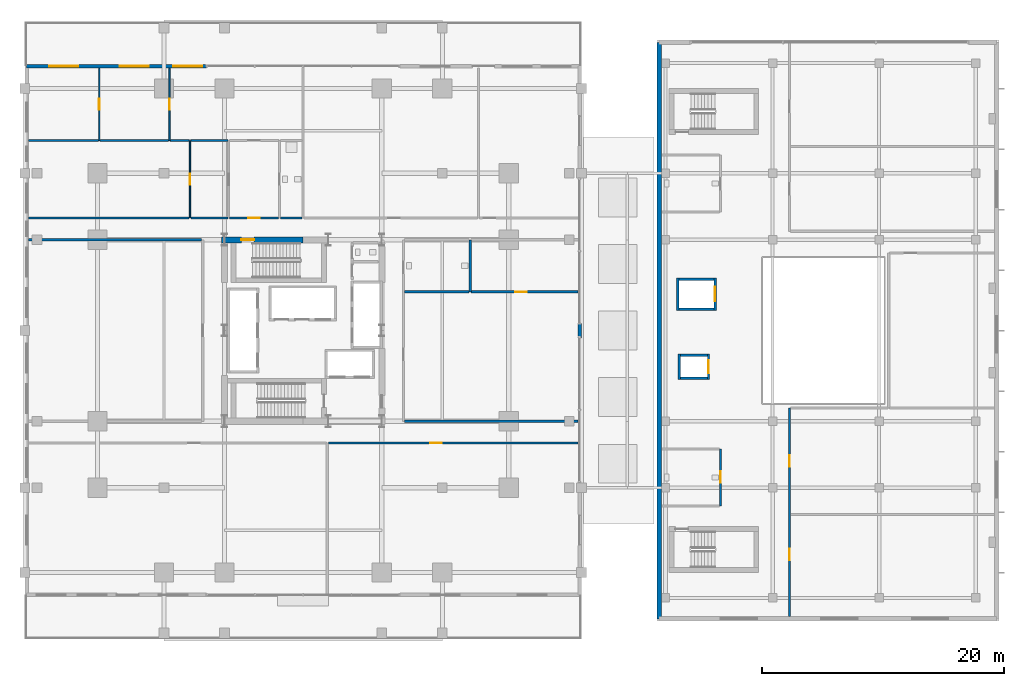
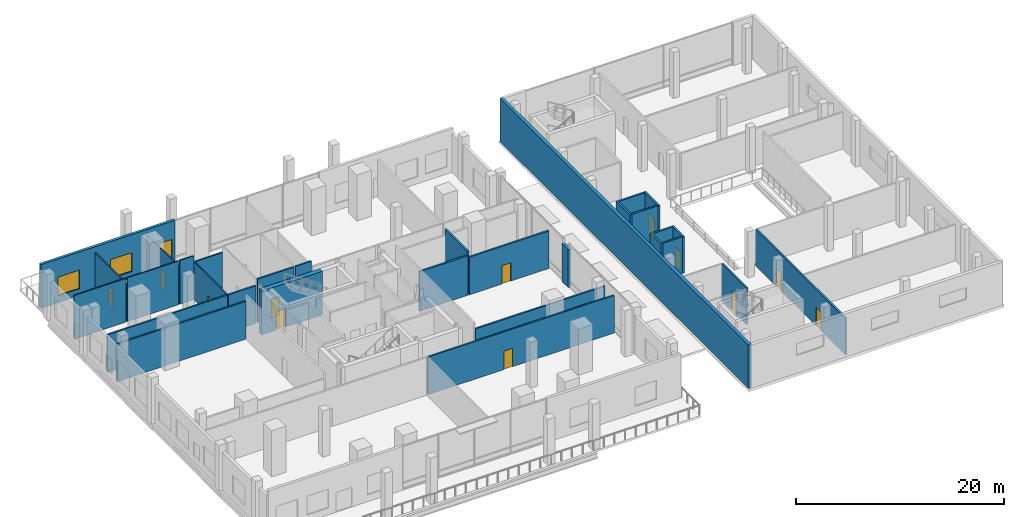
# One storey, part 27 of 36: 31 walls, 12 doors, 3 windows, 15 openings.
"""IFC4 building model written with IfcOpenShell, lengths in metres."""

from ifc_helpers import new_model, si_unit, direction, frame, frame_2d, origin, place, context, subcontext, project, spatial, rectangle, extrude, material, layer, layer_set, type_object, element, fill, save


model = new_model("IFC4")

# Units and contexts
model_context = context("Model", 3, precision=1e-05, world=origin(), true_north=direction((0.0, 1.0)))
body_context = subcontext(model_context, "Body", "Model", "MODEL_VIEW")
ifc_project = project(units=[si_unit("LENGTHUNIT", "METRE"), si_unit("AREAUNIT", "SQUARE_METRE"), si_unit("VOLUMEUNIT", "CUBIC_METRE"), si_unit("PLANEANGLEUNIT", "RADIAN"), si_unit("MASSUNIT", "GRAM", prefix="KILO")], contexts=[model_context])

# Site, building, storey
site_placement = place(None, origin())
site = spatial("IfcSite", under=ifc_project, at=site_placement, CompositionType="ELEMENT")
building_placement = place(site_placement, origin())
building = spatial("IfcBuilding", under=site, at=building_placement, Name="Barlavira Tower and Art Museum", CompositionType="ELEMENT")
storey_placement = place(building_placement, frame((0.0, 0.0, 11.39990234375)))
storey = spatial("IfcBuildingStorey", under=building, at=storey_placement, Name="L02", CompositionType="ELEMENT", Elevation=11.39990234375)

# Wall, opening, door
ifc_material_1 = material(Name="Gypsum acoustic stud partition", Category="gypsum")
ifc_layer_1 = layer(ifc_material_1, 0.1201171875, Name="Gypsum acoustic stud partition")
ifc_layer_set_1 = layer_set([ifc_layer_1], Name="Gypsum acoustic stud partition")
wall_type_1 = type_object("IfcWallType", Name="Apartment Internal Acoustic Partition 120", PredefinedType="PARTITIONING", material=ifc_layer_set_1)
wall_1_placement = place(storey_placement, frame((-16.85009765625, 15.699951171875, 0.0), z_axis=(0.0, 0.0, 1.0), x_axis=(0.0, 1.0, 0.0)))
wall_1 = element("IfcWall", 1, at=wall_1_placement, inside=storey, type_object=wall_type_1, Name="L02 Partition Wall 1", PredefinedType="PARTITIONING", context=body_context, shape_type="SweptSolid", body=[
    extrude(rectangle(XDim=5.9951171875, YDim=0.1201171875, at=frame_2d((2.99755859375, 0.0))), origin(), (0.0, 0.0, 1.0), 4.47607421875),
])
opening_1_placement = place(wall_1_placement, frame((2.550048828125, 0.0, 0.0)))
opening_1 = element("IfcOpeningElement", 2, at=opening_1_placement, cuts=wall_1, Name="Opening D-01", PredefinedType="OPENING", context=body_context, shape_type="SweptSolid", body=[
    extrude(rectangle(XDim=0.89990234375, YDim=2.10009765625, at=frame_2d((0.449951171875, 1.050048828125))), frame((0.0, 0.070068359375, 0.0), z_axis=(0.0, -1.0, 0.0), x_axis=(1.0, 0.0, 0.0)), (0.0, 0.0, 1.0), 0.14013671875),
])
ifc_material_2 = material(Name="Engineered coastal hardwood", Category="wood")
door_type_1 = type_object("IfcDoorType", Name="Internal Bedroom Timber Flush Door 900x2100", OperationType="NOTDEFINED", PredefinedType="DOOR", material=ifc_material_2)
door_1_placement = place(opening_1_placement, origin())
door_1 = element("IfcDoor", 3, at=door_1_placement, inside=storey, type_object=door_type_1, Name="Apartment P2-NW Bedroom 2 Door", OperationType="SINGLE_SWING_RIGHT", OverallHeight=2.10009765625, OverallWidth=0.89990234375, PredefinedType="DOOR", context=body_context, shape_type="SweptSolid", body=[
    extrude(rectangle(XDim=0.89990234375, YDim=2.10009765625, at=frame_2d((0.449951171875, 1.050048828125))), frame((0.0, 0.02490234375, 0.0), z_axis=(0.0, -1.0, 0.0), x_axis=(1.0, 0.0, 0.0)), (0.0, 0.0, 1.0), 0.050048828125),
])
fill(opening_1, door_1)

wall_2_placement = place(storey_placement, frame((-11.050048828125, 15.699951171875, 0.0), z_axis=(0.0, 0.0, 1.0), x_axis=(0.0, 1.0, 0.0)))
wall_2 = element("IfcWall", 4, at=wall_2_placement, inside=storey, type_object=wall_type_1, Name="L02 Partition Wall 2", PredefinedType="PARTITIONING", context=body_context, shape_type="SweptSolid", body=[
    extrude(rectangle(XDim=5.9951171875, YDim=0.1201171875, at=frame_2d((2.99755859375, 0.0))), origin(), (0.0, 0.0, 1.0), 4.47607421875),
])
opening_2_placement = place(wall_2_placement, frame((2.550048828125, 0.0, 0.0)))
opening_2 = element("IfcOpeningElement", 5, at=opening_2_placement, cuts=wall_2, Name="Opening D-01", PredefinedType="OPENING", context=body_context, shape_type="SweptSolid", body=[
    extrude(rectangle(XDim=0.89990234375, YDim=2.10009765625, at=frame_2d((0.449951171875, 1.050048828125))), frame((0.0, 0.070068359375, 0.0), z_axis=(0.0, -1.0, 0.0), x_axis=(1.0, 0.0, 0.0)), (0.0, 0.0, 1.0), 0.14013671875),
])
door_2_placement = place(opening_2_placement, origin())
door_2 = element("IfcDoor", 6, at=door_2_placement, inside=storey, type_object=door_type_1, Name="Apartment P2-NW Bedroom 1 Door", OperationType="SINGLE_SWING_LEFT", OverallHeight=2.10009765625, OverallWidth=0.89990234375, PredefinedType="DOOR", context=body_context, shape_type="SweptSolid", body=[
    extrude(rectangle(XDim=0.89990234375, YDim=2.10009765625, at=frame_2d((0.449951171875, 1.050048828125))), frame((0.0, 0.02490234375, 0.0), z_axis=(0.0, -1.0, 0.0), x_axis=(1.0, 0.0, 0.0)), (0.0, 0.0, 1.0), 0.050048828125),
])
fill(opening_2, door_2)

wall_3_placement = place(storey_placement, frame((-9.35009765625, 9.300048828125, 0.0), z_axis=(0.0, 0.0, 1.0), x_axis=(0.0, 1.0, 0.0)))
wall_3 = element("IfcWall", 7, at=wall_3_placement, inside=storey, type_object=wall_type_1, Name="L02 Partition Wall 3", PredefinedType="PARTITIONING", context=body_context, shape_type="SweptSolid", body=[
    extrude(rectangle(XDim=6.39990234375, YDim=0.1201171875, at=frame_2d((3.199951171875, 0.0))), origin(), (0.0, 0.0, 1.0), 4.41015625),
])
opening_3_placement = place(wall_3_placement, frame((2.75, 0.0, 0.0)))
opening_3 = element("IfcOpeningElement", 8, at=opening_3_placement, cuts=wall_3, Name="Opening D-01", PredefinedType="OPENING", context=body_context, shape_type="SweptSolid", body=[
    extrude(rectangle(XDim=0.89990234375, YDim=2.10009765625, at=frame_2d((0.449951171875, 1.050048828125))), frame((0.0, 0.070068359375, 0.0), z_axis=(0.0, -1.0, 0.0), x_axis=(1.0, 0.0, 0.0)), (0.0, 0.0, 1.0), 0.14013671875),
])
door_3_placement = place(opening_3_placement, origin())
door_3 = element("IfcDoor", 9, at=door_3_placement, inside=storey, type_object=door_type_1, Name="Apartment P2-NW Walk-In Dressing Room Door", OperationType="SINGLE_SWING_LEFT", OverallHeight=2.10009765625, OverallWidth=0.89990234375, PredefinedType="DOOR", context=body_context, shape_type="SweptSolid", body=[
    extrude(rectangle(XDim=0.89990234375, YDim=2.10009765625, at=frame_2d((0.449951171875, 1.050048828125))), frame((0.0, 0.02490234375, 0.0), z_axis=(0.0, -1.0, 0.0), x_axis=(1.0, 0.0, 0.0)), (0.0, 0.0, 1.0), 0.050048828125),
])
fill(opening_3, door_3)

ifc_material_3 = material(Name="Concrete C60", Category="concrete")
ifc_layer_2 = layer(ifc_material_3, 0.5, Name="Concrete C60")
ifc_layer_set_2 = layer_set([ifc_layer_2], Name="Concrete C60")
wall_type_2 = type_object("IfcWallType", Name="Core Structural Shear Wall 500 Concrete C60", PredefinedType="SHEAR", material=ifc_layer_set_2)
wall_4_placement = place(storey_placement, frame((-6.75, 7.5, 0.0), z_axis=(0.0, 0.0, 1.0), x_axis=(1.0, 0.0, 0.0)))
wall_4 = element("IfcWall", 10, at=wall_4_placement, inside=storey, type_object=wall_type_2, Name="L02 Core Shear Wall CS-NW", PredefinedType="SHEAR", context=body_context, shape_type="SweptSolid", body=[
    extrude(rectangle(XDim=6.75, YDim=0.5, at=frame_2d((3.375, 0.0))), origin(), (0.0, 0.0, 1.0), 5.1201171875),
])
opening_4_placement = place(wall_4_placement, frame((1.64990234375, 0.0, 0.0)))
opening_4 = element("IfcOpeningElement", 11, at=opening_4_placement, cuts=wall_4, Name="Opening FD-90", PredefinedType="OPENING", context=body_context, shape_type="SweptSolid", body=[
    extrude(rectangle(XDim=1.050048828125, YDim=2.14990234375, at=frame_2d((0.52490234375, 1.074951171875))), frame((0.0, 0.260009765625, 0.0), z_axis=(0.0, -1.0, 0.0), x_axis=(1.0, 0.0, 0.0)), (0.0, 0.0, 1.0), 0.52001953125),
])
ifc_material_4 = material(Name="Brushed stainless steel", Category="steel")
door_type_2 = type_object("IfcDoorType", Name="Stair and Refuge Fire Door 1050x2150 FD90S", OperationType="NOTDEFINED", PredefinedType="DOOR", material=ifc_material_4)
door_4_placement = place(opening_4_placement, origin())
door_4 = element("IfcDoor", 12, at=door_4_placement, inside=storey, type_object=door_type_2, Name="L02 Stair ST-T2 Fire Door", OperationType="SINGLE_SWING_LEFT", OverallHeight=2.14990234375, OverallWidth=1.050048828125, PredefinedType="DOOR", context=body_context, shape_type="SweptSolid", body=[
    extrude(rectangle(XDim=1.050048828125, YDim=2.14990234375, at=frame_2d((0.52490234375, 1.074951171875))), frame((0.0, 0.02490234375, 0.0), z_axis=(0.0, -1.0, 0.0), x_axis=(1.0, 0.0, 0.0)), (0.0, 0.0, 1.0), 0.050048828125),
])
fill(opening_4, door_4)

ifc_material_5 = material(Name="Autoclaved aerated concrete masonry", Category="masonry")
ifc_layer_3 = layer(ifc_material_5, 0.199951171875, Name="Autoclaved aerated concrete masonry")
ifc_layer_set_3 = layer_set([ifc_layer_3], Name="Autoclaved aerated concrete masonry")
wall_type_3 = type_object("IfcWallType", Name="Fire Compartment and Shaft Wall 200", PredefinedType="SOLIDWALL", material=ifc_layer_set_3)
wall_5_placement = place(storey_placement, frame((33.5, -4.050048828125, 0.0), z_axis=(0.0, 0.0, 1.0), x_axis=(0.0, 1.0, 0.0)))
wall_5 = element("IfcWall", 13, at=wall_5_placement, inside=storey, type_object=wall_type_3, Name="L02 Museum Lift ML1 Front Wall", PredefinedType="SOLIDWALL", context=body_context, shape_type="SweptSolid", body=[
    extrude(rectangle(XDim=2.10009765625, YDim=0.199951171875, at=frame_2d((1.050048828125, 0.0))), origin(), (0.0, 0.0, 1.0), 4.297119140625),
])
opening_5_placement = place(wall_5_placement, frame((0.5, 0.0, 0.0)))
opening_5 = element("IfcOpeningElement", 14, at=opening_5_placement, cuts=wall_5, Name="Opening LD-P", PredefinedType="OPENING", context=body_context, shape_type="SweptSolid", body=[
    extrude(rectangle(XDim=1.10009765625, YDim=2.14990234375, at=frame_2d((0.550048828125, 1.074951171875))), frame((0.0, 0.10986328125, 0.0), z_axis=(0.0, -1.0, 0.0), x_axis=(1.0, 0.0, 0.0)), (0.0, 0.0, 1.0), 0.219970703125),
])
door_type_3 = type_object("IfcDoorType", Name="Passenger Lift Sliding Landing Door 1100x2150 FD60", OperationType="NOTDEFINED", PredefinedType="DOOR", material=ifc_material_4)
door_5_placement = place(opening_5_placement, origin())
door_5 = element("IfcDoor", 15, at=door_5_placement, inside=storey, type_object=door_type_3, Name="L02 Museum Lift ML1 Sliding Landing Door", OperationType="DOUBLE_DOOR_SLIDING", OverallHeight=2.14990234375, OverallWidth=1.10009765625, PredefinedType="DOOR", context=body_context, shape_type="SweptSolid", body=[
    extrude(rectangle(XDim=1.10009765625, YDim=2.14990234375, at=frame_2d((0.550048828125, 1.074951171875))), frame((0.0, 0.02490234375, 0.0), z_axis=(0.0, -1.0, 0.0), x_axis=(1.0, 0.0, 0.0)), (0.0, 0.0, 1.0), 0.050048828125),
])
fill(opening_5, door_5)

# Walls
wall_6_placement = place(storey_placement, frame((31.10009765625, -4.050048828125, 0.0), z_axis=(0.0, 0.0, 1.0), x_axis=(0.0, 1.0, 0.0)))
element("IfcWall", 16, at=wall_6_placement, inside=storey, type_object=wall_type_3, Name="L02 Museum Lift ML1 Back Wall", PredefinedType="SOLIDWALL", context=body_context, shape_type="SweptSolid", body=[
    extrude(rectangle(XDim=2.10009765625, YDim=0.199951171875, at=frame_2d((1.050048828125, 0.0))), origin(), (0.0, 0.0, 1.0), 4.297119140625),
])
for number, where, z_axis, x_axis, name in (
    (17, (31.199951171875, -3.949951171875, 0.0), (0.0, 0.0, 1.0), (1.0, 0.0, 0.0), "L02 Museum Lift ML1 South Wall"),
    (18, (31.199951171875, -2.050048828125, 0.0), (0.0, 0.0, 1.0), (1.0, 0.0, 0.0), "L02 Museum Lift ML1 North Wall"),
):
    element("IfcWall", number, at=place(storey_placement, frame(where, z_axis=z_axis, x_axis=x_axis)), inside=storey, type_object=wall_type_3, Name=name, PredefinedType="SOLIDWALL", context=body_context, shape_type="SweptSolid", body=[
        extrude(rectangle(XDim=2.199951171875, YDim=0.199951171875, at=frame_2d((1.10009765625, 0.0))), origin(), (0.0, 0.0, 1.0), 4.297119140625),
    ])

# Wall, opening, door
wall_7_placement = place(storey_placement, frame((34.050048828125, 1.64990234375, 0.0), z_axis=(0.0, 0.0, 1.0), x_axis=(0.0, 1.0, 0.0)))
wall_7 = element("IfcWall", 19, at=wall_7_placement, inside=storey, type_object=wall_type_3, Name="L02 Museum Lift MG1 Front Wall", PredefinedType="SOLIDWALL", context=body_context, shape_type="SweptSolid", body=[
    extrude(rectangle(XDim=2.7001953125, YDim=0.199951171875, at=frame_2d((1.35009765625, 0.0))), origin(), (0.0, 0.0, 1.0), 4.297119140625),
])
opening_6_placement = place(wall_7_placement, frame((0.75, 0.0, 0.0)))
opening_6 = element("IfcOpeningElement", 20, at=opening_6_placement, cuts=wall_7, Name="Opening LD-F", PredefinedType="OPENING", context=body_context, shape_type="SweptSolid", body=[
    extrude(rectangle(XDim=1.199951171875, YDim=2.199951171875, at=frame_2d((0.60009765625, 1.10009765625))), frame((0.0, 0.10986328125, 0.0), z_axis=(0.0, -1.0, 0.0), x_axis=(1.0, 0.0, 0.0)), (0.0, 0.0, 1.0), 0.219970703125),
])
door_type_4 = type_object("IfcDoorType", Name="Firefighting and Service Lift Sliding Door 1200x2200 FD120", OperationType="NOTDEFINED", PredefinedType="DOOR", material=ifc_material_4)
door_6_placement = place(opening_6_placement, origin())
door_6 = element("IfcDoor", 21, at=door_6_placement, inside=storey, type_object=door_type_4, Name="L02 Museum Lift MG1 Sliding Landing Door", OperationType="DOUBLE_DOOR_SLIDING", OverallHeight=2.199951171875, OverallWidth=1.199951171875, PredefinedType="DOOR", context=body_context, shape_type="SweptSolid", body=[
    extrude(rectangle(XDim=1.199951171875, YDim=2.199951171875, at=frame_2d((0.60009765625, 1.10009765625))), frame((0.0, 0.02490234375, 0.0), z_axis=(0.0, -1.0, 0.0), x_axis=(1.0, 0.0, 0.0)), (0.0, 0.0, 1.0), 0.050048828125),
])
fill(opening_6, door_6)

# Walls
wall_8_placement = place(storey_placement, frame((30.949951171875, 1.64990234375, 0.0), z_axis=(0.0, 0.0, 1.0), x_axis=(0.0, 1.0, 0.0)))
element("IfcWall", 22, at=wall_8_placement, inside=storey, type_object=wall_type_3, Name="L02 Museum Lift MG1 Back Wall", PredefinedType="SOLIDWALL", context=body_context, shape_type="SweptSolid", body=[
    extrude(rectangle(XDim=2.7001953125, YDim=0.199951171875, at=frame_2d((1.35009765625, 0.0))), origin(), (0.0, 0.0, 1.0), 4.297119140625),
])
for number, where, z_axis, x_axis, name in (
    (23, (31.050048828125, 1.75, 0.0), (0.0, 0.0, 1.0), (1.0, 0.0, 0.0), "L02 Museum Lift MG1 South Wall"),
    (24, (31.050048828125, 4.25, 0.0), (0.0, 0.0, 1.0), (1.0, 0.0, 0.0), "L02 Museum Lift MG1 North Wall"),
):
    element("IfcWall", number, at=place(storey_placement, frame(where, z_axis=z_axis, x_axis=x_axis)), inside=storey, type_object=wall_type_3, Name=name, PredefinedType="SOLIDWALL", context=body_context, shape_type="SweptSolid", body=[
        extrude(rectangle(XDim=2.89990234375, YDim=0.199951171875, at=frame_2d((1.449951171875, 0.0))), origin(), (0.0, 0.0, 1.0), 4.297119140625),
    ])
wall_9_placement = place(storey_placement, frame((13.800048828125, 3.199951171875, 0.0), z_axis=(0.0, 0.0, 1.0), x_axis=(0.0, 1.0, 0.0)))
element("IfcWall", 25, at=wall_9_placement, inside=storey, type_object=wall_type_3, Name="L02 Partition Wall 11", PredefinedType="SOLIDWALL", context=body_context, shape_type="SweptSolid", body=[
    extrude(rectangle(XDim=4.300048828125, YDim=0.199951171875, at=frame_2d((2.14990234375, 0.0))), origin(), (0.0, 0.0, 1.0), 5.1201171875),
])
wall_10_placement = place(storey_placement, frame((8.3798828125, 3.199951171875, 0.0), z_axis=(0.0, 0.0, 1.0), x_axis=(1.0, 0.0, 0.0)))
element("IfcWall", 26, at=wall_10_placement, inside=storey, type_object=wall_type_3, Name="L02 Partition Wall 27", PredefinedType="SOLIDWALL", context=body_context, shape_type="SweptSolid", body=[
    extrude(rectangle(XDim=5.340087890625, YDim=0.199951171875, at=frame_2d((2.669921875, 0.0))), origin(), (0.0, 0.0, 1.0), 4.64208984375),
])

# Wall, opening, door
wall_11_placement = place(storey_placement, frame((13.8798828125, 3.199951171875, 0.0), z_axis=(0.0, 0.0, 1.0), x_axis=(1.0, 0.0, 0.0)))
wall_11 = element("IfcWall", 27, at=wall_11_placement, inside=storey, type_object=wall_type_3, Name="L02 Partition Wall 28", PredefinedType="SOLIDWALL", context=body_context, shape_type="SweptSolid", body=[
    extrude(rectangle(XDim=8.855224609375, YDim=0.199951171875, at=frame_2d((4.427734375, 0.0))), origin(), (0.0, 0.0, 1.0), 4.41015625),
])
opening_7_placement = place(wall_11_placement, frame((3.64501953125, 0.0, 0.0)))
opening_7 = element("IfcOpeningElement", 28, at=opening_7_placement, cuts=wall_11, Name="Opening FD-60", PredefinedType="OPENING", context=body_context, shape_type="SweptSolid", body=[
    extrude(rectangle(XDim=0.949951171875, YDim=2.14990234375, at=frame_2d((0.47509765625, 1.074951171875))), frame((0.0, 0.10986328125, 0.0), z_axis=(0.0, -1.0, 0.0), x_axis=(1.0, 0.0, 0.0)), (0.0, 0.0, 1.0), 0.219970703125),
])
door_type_5 = type_object("IfcDoorType", Name="Apartment Entrance and Riser Fire Door 950x2150 FD60S", OperationType="NOTDEFINED", PredefinedType="DOOR", material=ifc_material_4)
door_7_placement = place(opening_7_placement, origin())
door_7 = element("IfcDoor", 29, at=door_7_placement, inside=storey, type_object=door_type_5, Name="L02 Podium Amenity Store Door", OperationType="SINGLE_SWING_RIGHT", OverallHeight=2.14990234375, OverallWidth=0.949951171875, PredefinedType="DOOR", context=body_context, shape_type="SweptSolid", body=[
    extrude(rectangle(XDim=0.949951171875, YDim=2.14990234375, at=frame_2d((0.47509765625, 1.074951171875))), frame((0.0, 0.02490234375, 0.0), z_axis=(0.0, -1.0, 0.0), x_axis=(1.0, 0.0, 0.0)), (0.0, 0.0, 1.0), 0.050048828125),
])
fill(opening_7, door_7)

ifc_layer_4 = layer(ifc_material_1, 0.179931640625, Name="Gypsum acoustic stud partition")
ifc_layer_set_4 = layer_set([ifc_layer_4], Name="Gypsum acoustic stud partition")
wall_type_4 = type_object("IfcWallType", Name="Inter-Tenancy Party Partition Wall 180", PredefinedType="PARTITIONING", material=ifc_layer_set_4)
wall_12_placement = place(storey_placement, frame((34.5, -14.5, 0.0), z_axis=(0.0, 0.0, 1.0), x_axis=(0.0, 1.0, 0.0)))
wall_12 = element("IfcWall", 30, at=wall_12_placement, inside=storey, type_object=wall_type_4, Name="L02 Partition Wall 13", PredefinedType="PARTITIONING", context=body_context, shape_type="SweptSolid", body=[
    extrude(rectangle(XDim=4.699951171875, YDim=0.179931640625, at=frame_2d((2.35009765625, 0.0))), origin(), (0.0, 0.0, 1.0), 4.297119140625),
])
opening_8_placement = place(wall_12_placement, frame((1.925048828125, 0.0, 0.0)))
opening_8 = element("IfcOpeningElement", 31, at=opening_8_placement, cuts=wall_12, Name="Opening FD-60", PredefinedType="OPENING", context=body_context, shape_type="SweptSolid", body=[
    extrude(rectangle(XDim=0.949951171875, YDim=2.14990234375, at=frame_2d((0.47509765625, 1.074951171875))), frame((0.0, 0.10009765625, 0.0), z_axis=(0.0, -1.0, 0.0), x_axis=(1.0, 0.0, 0.0)), (0.0, 0.0, 1.0), 0.199951171875),
])
door_8_placement = place(opening_8_placement, origin())
door_8 = element("IfcDoor", 32, at=door_8_placement, inside=storey, type_object=door_type_5, Name="L02 Museum Accessible Restroom Door", OperationType="SINGLE_SWING_RIGHT", OverallHeight=2.14990234375, OverallWidth=0.949951171875, PredefinedType="DOOR", context=body_context, shape_type="SweptSolid", body=[
    extrude(rectangle(XDim=0.949951171875, YDim=2.14990234375, at=frame_2d((0.47509765625, 1.074951171875))), frame((0.0, 0.02490234375, 0.0), z_axis=(0.0, -1.0, 0.0), x_axis=(1.0, 0.0, 0.0)), (0.0, 0.0, 1.0), 0.050048828125),
])
fill(opening_8, door_8)

# Wall, openings, doors
wall_13_placement = place(storey_placement, frame((40.199951171875, -23.64501953125, 0.0), z_axis=(0.0, 0.0, 1.0), x_axis=(0.0, 1.0, 0.0)))
wall_13 = element("IfcWall", 33, at=wall_13_placement, inside=storey, type_object=wall_type_4, Name="L02 Partition Wall 15", PredefinedType="PARTITIONING", context=body_context, shape_type="SweptSolid", body=[
    extrude(rectangle(XDim=17.2451171875, YDim=0.179931640625, at=frame_2d((8.62255859375, 0.0))), origin(), (0.0, 0.0, 1.0), 4.297119140625),
])
opening_9_placement = place(wall_13_placement, frame((4.669921875, 0.0, 0.0)))
opening_9 = element("IfcOpeningElement", 34, at=opening_9_placement, cuts=wall_13, Name="Opening FD-60", PredefinedType="OPENING", context=body_context, shape_type="SweptSolid", body=[
    extrude(rectangle(XDim=0.949951171875, YDim=2.14990234375, at=frame_2d((0.47509765625, 1.074951171875))), frame((0.0, 0.10009765625, 0.0), z_axis=(0.0, -1.0, 0.0), x_axis=(1.0, 0.0, 0.0)), (0.0, 0.0, 1.0), 0.199951171875),
])
opening_10_placement = place(wall_13_placement, frame((12.3701171875, 0.0, 0.0)))
opening_10 = element("IfcOpeningElement", 35, at=opening_10_placement, cuts=wall_13, Name="Opening FD-60", PredefinedType="OPENING", context=body_context, shape_type="SweptSolid", body=[
    extrude(rectangle(XDim=0.949951171875, YDim=2.14990234375, at=frame_2d((0.47509765625, 1.074951171875))), frame((0.0, 0.10009765625, 0.0), z_axis=(0.0, -1.0, 0.0), x_axis=(1.0, 0.0, 0.0)), (0.0, 0.0, 1.0), 0.199951171875),
])
door_9_placement = place(opening_9_placement, origin())
door_9 = element("IfcDoor", 36, at=door_9_placement, inside=storey, type_object=door_type_5, Name="L02 Coastal Architecture Lecture Auditorium Door", OperationType="SINGLE_SWING_LEFT", OverallHeight=2.14990234375, OverallWidth=0.949951171875, PredefinedType="DOOR", context=body_context, shape_type="SweptSolid", body=[
    extrude(rectangle(XDim=0.949951171875, YDim=2.14990234375, at=frame_2d((0.47509765625, 1.074951171875))), frame((0.0, 0.02490234375, 0.0), z_axis=(0.0, -1.0, 0.0), x_axis=(1.0, 0.0, 0.0)), (0.0, 0.0, 1.0), 0.050048828125),
])
fill(opening_9, door_9)
door_10_placement = place(opening_10_placement, origin())
door_10 = element("IfcDoor", 37, at=door_10_placement, inside=storey, type_object=door_type_5, Name="L02 South Sculpture Mezzanine Gallery Door", OperationType="SINGLE_SWING_RIGHT", OverallHeight=2.14990234375, OverallWidth=0.949951171875, PredefinedType="DOOR", context=body_context, shape_type="SweptSolid", body=[
    extrude(rectangle(XDim=0.949951171875, YDim=2.14990234375, at=frame_2d((0.47509765625, 1.074951171875))), frame((0.0, 0.02490234375, 0.0), z_axis=(0.0, -1.0, 0.0), x_axis=(1.0, 0.0, 0.0)), (0.0, 0.0, 1.0), 0.050048828125),
])
fill(opening_10, door_10)

# Wall, opening, door
wall_14_placement = place(storey_placement, frame((2.080078125, -9.300048828125, 0.0), z_axis=(0.0, 0.0, 1.0), x_axis=(1.0, 0.0, 0.0)))
wall_14 = element("IfcWall", 38, at=wall_14_placement, inside=storey, type_object=wall_type_4, Name="L02 Partition Wall 22", PredefinedType="PARTITIONING", context=body_context, shape_type="SweptSolid", body=[
    extrude(rectangle(XDim=20.655029296875, YDim=0.179931640625, at=frame_2d((10.32763671875, 0.0))), origin(), (0.0, 0.0, 1.0), 4.41015625),
])
opening_11_placement = place(wall_14_placement, frame((8.445068359375, 0.0, 0.0)))
opening_11 = element("IfcOpeningElement", 39, at=opening_11_placement, cuts=wall_14, Name="Opening FD-60", PredefinedType="OPENING", context=body_context, shape_type="SweptSolid", body=[
    extrude(rectangle(XDim=0.949951171875, YDim=2.14990234375, at=frame_2d((0.47509765625, 1.074951171875))), frame((0.0, 0.10009765625, 0.0), z_axis=(0.0, -1.0, 0.0), x_axis=(1.0, 0.0, 0.0)), (0.0, 0.0, 1.0), 0.199951171875),
])
door_11_placement = place(opening_11_placement, origin())
door_11 = element("IfcDoor", 40, at=door_11_placement, inside=storey, type_object=door_type_5, Name="Cascade Terrace Fitness and Pilates Studio Door", OperationType="SINGLE_SWING_LEFT", OverallHeight=2.14990234375, OverallWidth=0.949951171875, PredefinedType="DOOR", context=body_context, shape_type="SweptSolid", body=[
    extrude(rectangle(XDim=0.949951171875, YDim=2.14990234375, at=frame_2d((0.47509765625, 1.074951171875))), frame((0.0, 0.02490234375, 0.0), z_axis=(0.0, -1.0, 0.0), x_axis=(1.0, 0.0, 0.0)), (0.0, 0.0, 1.0), 0.050048828125),
])
fill(opening_11, door_11)

# Walls
wall_15_placement = place(storey_placement, frame((8.3798828125, -7.5, 0.0), z_axis=(0.0, 0.0, 1.0), x_axis=(1.0, 0.0, 0.0)))
element("IfcWall", 41, at=wall_15_placement, inside=storey, type_object=wall_type_4, Name="L02 Partition Wall 24", PredefinedType="PARTITIONING", context=body_context, shape_type="SweptSolid", body=[
    extrude(rectangle(XDim=14.355224609375, YDim=0.179931640625, at=frame_2d((7.177734375, 0.0))), origin(), (0.0, 0.0, 1.0), 4.41015625),
])
wall_16_placement = place(storey_placement, frame((-22.695068359375, 7.5, 0.0), z_axis=(0.0, 0.0, 1.0), x_axis=(1.0, 0.0, 0.0)))
element("IfcWall", 42, at=wall_16_placement, inside=storey, type_object=wall_type_4, Name="L02 Partition Wall 32", PredefinedType="PARTITIONING", context=body_context, shape_type="SweptSolid", body=[
    extrude(rectangle(XDim=14.315185546875, YDim=0.179931640625, at=frame_2d((7.15771484375, 0.0))), origin(), (0.0, 0.0, 1.0), 4.41015625),
])
wall_17_placement = place(storey_placement, frame((-22.695068359375, 9.300048828125, 0.0), z_axis=(0.0, 0.0, 1.0), x_axis=(1.0, 0.0, 0.0)))
element("IfcWall", 43, at=wall_17_placement, inside=storey, type_object=wall_type_4, Name="L02 Partition Wall 36", PredefinedType="PARTITIONING", context=body_context, shape_type="SweptSolid", body=[
    extrude(rectangle(XDim=13.26513671875, YDim=0.179931640625, at=frame_2d((6.632568359375, 0.0))), origin(), (0.0, 0.0, 1.0), 4.41015625),
])
wall_18_placement = place(storey_placement, frame((-9.27001953125, 9.300048828125, 0.0), z_axis=(0.0, 0.0, 1.0), x_axis=(1.0, 0.0, 0.0)))
element("IfcWall", 44, at=wall_18_placement, inside=storey, type_object=wall_type_4, Name="L02 Partition Wall 37", PredefinedType="PARTITIONING", context=body_context, shape_type="SweptSolid", body=[
    extrude(rectangle(XDim=3.0400390625, YDim=0.179931640625, at=frame_2d((1.52001953125, 0.0))), origin(), (0.0, 0.0, 1.0), 4.41015625),
])

# Wall, opening, door
wall_19_placement = place(storey_placement, frame((-6.070068359375, 9.300048828125, 0.0), z_axis=(0.0, 0.0, 1.0), x_axis=(1.0, 0.0, 0.0)))
wall_19 = element("IfcWall", 45, at=wall_19_placement, inside=storey, type_object=wall_type_4, Name="L02 Partition Wall 38", PredefinedType="PARTITIONING", context=body_context, shape_type="SweptSolid", body=[
    extrude(rectangle(XDim=4.0400390625, YDim=0.179931640625, at=frame_2d((2.02001953125, 0.0))), origin(), (0.0, 0.0, 1.0), 5.1201171875),
])
opening_12_placement = place(wall_19_placement, frame((1.544921875, 0.0, 0.0)))
opening_12 = element("IfcOpeningElement", 46, at=opening_12_placement, cuts=wall_19, Name="Opening FD-60", PredefinedType="OPENING", context=body_context, shape_type="SweptSolid", body=[
    extrude(rectangle(XDim=0.949951171875, YDim=2.14990234375, at=frame_2d((0.47509765625, 1.074951171875))), frame((0.0, 0.10009765625, 0.0), z_axis=(0.0, -1.0, 0.0), x_axis=(1.0, 0.0, 0.0)), (0.0, 0.0, 1.0), 0.199951171875),
])
door_12_placement = place(opening_12_placement, origin())
door_12 = element("IfcDoor", 47, at=door_12_placement, inside=storey, type_object=door_type_5, Name="Apartment Entrance Hall P2-NW Door", OperationType="SINGLE_SWING_LEFT", OverallHeight=2.14990234375, OverallWidth=0.949951171875, PredefinedType="DOOR", context=body_context, shape_type="SweptSolid", body=[
    extrude(rectangle(XDim=0.949951171875, YDim=2.14990234375, at=frame_2d((0.47509765625, 1.074951171875))), frame((0.0, 0.02490234375, 0.0), z_axis=(0.0, -1.0, 0.0), x_axis=(1.0, 0.0, 0.0)), (0.0, 0.0, 1.0), 0.050048828125),
])
fill(opening_12, door_12)

# Walls
wall_20_placement = place(storey_placement, frame((-1.8701171875, 9.300048828125, 0.0), z_axis=(0.0, 0.0, 1.0), x_axis=(1.0, 0.0, 0.0)))
element("IfcWall", 48, at=wall_20_placement, inside=storey, type_object=wall_type_4, Name="L02 Partition Wall 39", PredefinedType="PARTITIONING", context=body_context, shape_type="SweptSolid", body=[
    extrude(rectangle(XDim=1.7900390625, YDim=0.179931640625, at=frame_2d((0.89501953125, 0.0))), origin(), (0.0, 0.0, 1.0), 5.1201171875),
])
ifc_layer_5 = layer(ifc_material_1, 0.139892578125, Name="Gypsum acoustic stud partition")
ifc_layer_set_5 = layer_set([ifc_layer_5], Name="Gypsum acoustic stud partition")
wall_type_5 = type_object("IfcWallType", Name="Moisture-Resistant Bathroom Partition 140", PredefinedType="PARTITIONING", material=ifc_layer_set_5)
wall_21_placement = place(storey_placement, frame((-22.695068359375, 15.699951171875, 0.0), z_axis=(0.0, 0.0, 1.0), x_axis=(1.0, 0.0, 0.0)))
element("IfcWall", 49, at=wall_21_placement, inside=storey, type_object=wall_type_5, Name="L02 Partition Wall 45", PredefinedType="PARTITIONING", context=body_context, shape_type="SweptSolid", body=[
    extrude(rectangle(XDim=5.76513671875, YDim=0.139892578125, at=frame_2d((2.882568359375, 0.0))), origin(), (0.0, 0.0, 1.0), 5.1201171875),
])
wall_22_placement = place(storey_placement, frame((-16.77001953125, 15.699951171875, 0.0), z_axis=(0.0, 0.0, 1.0), x_axis=(1.0, 0.0, 0.0)))
element("IfcWall", 50, at=wall_22_placement, inside=storey, type_object=wall_type_5, Name="L02 Partition Wall 46", PredefinedType="PARTITIONING", context=body_context, shape_type="SweptSolid", body=[
    extrude(rectangle(XDim=5.64013671875, YDim=0.139892578125, at=frame_2d((2.820068359375, 0.0))), origin(), (0.0, 0.0, 1.0), 5.1201171875),
])
wall_23_placement = place(storey_placement, frame((-10.969970703125, 15.699951171875, 0.0), z_axis=(0.0, 0.0, 1.0), x_axis=(1.0, 0.0, 0.0)))
element("IfcWall", 51, at=wall_23_placement, inside=storey, type_object=wall_type_5, Name="L02 Partition Wall 47", PredefinedType="PARTITIONING", context=body_context, shape_type="SweptSolid", body=[
    extrude(rectangle(XDim=1.5400390625, YDim=0.139892578125, at=frame_2d((0.77001953125, 0.0))), origin(), (0.0, 0.0, 1.0), 5.1201171875),
])
wall_24_placement = place(storey_placement, frame((-9.27001953125, 15.699951171875, 0.0), z_axis=(0.0, 0.0, 1.0), x_axis=(1.0, 0.0, 0.0)))
element("IfcWall", 52, at=wall_24_placement, inside=storey, type_object=wall_type_5, Name="L02 Partition Wall 48", PredefinedType="PARTITIONING", context=body_context, shape_type="SweptSolid", body=[
    extrude(rectangle(XDim=3.0400390625, YDim=0.139892578125, at=frame_2d((1.52001953125, 0.0))), origin(), (0.0, 0.0, 1.0), 4.41015625),
])
ifc_material_6 = material(Name="Precast concrete C40", Category="concrete")
ifc_layer_6 = layer(ifc_material_6, 0.35009765625, Name="Precast concrete C40")
ifc_layer_set_6 = layer_set([ifc_layer_6], Name="Precast concrete C40")
wall_type_6 = type_object("IfcWallType", Name="Museum Board-Formed Concrete Facade Wall 350 Concrete C40", PredefinedType="SOLIDWALL", material=ifc_layer_set_6)
wall_25_placement = place(storey_placement, frame((29.425048828125, 23.824951171875, 0.0), z_axis=(0.0, 0.0, 1.0), x_axis=(0.0, -1.0, 0.0)))
element("IfcWall", 53, at=wall_25_placement, inside=storey, type_object=wall_type_6, Name="L02 Museum West Arcade Wall", PredefinedType="SOLIDWALL", context=body_context, shape_type="SweptSolid", body=[
    extrude(rectangle(XDim=47.64990234375, YDim=0.35009765625, at=frame_2d((23.824951171875, 0.0))), origin(), (0.0, 0.0, 1.0), 5.080078125),
])
ifc_layer_7 = layer(ifc_material_6, 0.300048828125, Name="Precast concrete C40")
ifc_layer_set_7 = layer_set([ifc_layer_7], Name="Precast concrete C40")
wall_type_7 = type_object("IfcWallType", Name="Podium Architectural Precast Facade Wall 300 Concrete C40", PredefinedType="SOLIDWALL", material=ifc_layer_set_7)
wall_26_placement = place(storey_placement, frame((22.85009765625, -0.60009765625, 0.0), z_axis=(0.0, 0.0, 1.0), x_axis=(0.0, 1.0, 0.0)))
element("IfcWall", 54, at=wall_26_placement, inside=storey, type_object=wall_type_7, Name="L02 Podium Arcade Central Pier Wall", PredefinedType="SOLIDWALL", context=body_context, shape_type="SweptSolid", body=[
    extrude(rectangle(XDim=1.2001953125, YDim=0.300048828125, at=frame_2d((0.60009765625, 0.0))), origin(), (0.0, 0.0, 1.0), 4.47607421875),
])

# Wall, openings, windows
wall_27_placement = place(storey_placement, frame((-22.85009765625, 21.85009765625, 0.0), z_axis=(0.0, 0.0, 1.0), x_axis=(1.0, 0.0, 0.0)))
wall_27 = element("IfcWall", 55, at=wall_27_placement, inside=storey, type_object=wall_type_7, Name="L02 Podium North-West Wall", PredefinedType="SOLIDWALL", context=body_context, shape_type="SweptSolid", body=[
    extrude(rectangle(XDim=14.85009765625, YDim=0.300048828125, at=frame_2d((7.425048828125, 0.0))), origin(), (0.0, 0.0, 1.0), 5.1201171875),
])
opening_13_placement = place(wall_27_placement, frame((1.864990234375, 0.0, 0.800048828125)))
opening_13 = element("IfcOpeningElement", 56, at=opening_13_placement, cuts=wall_27, Name="Opening WN-02", PredefinedType="OPENING", context=body_context, shape_type="SweptSolid", body=[
    extrude(rectangle(XDim=2.39990234375, YDim=2.199951171875, at=frame_2d((1.199951171875, 1.10009765625))), frame((0.0, 0.16015625, 0.0), z_axis=(0.0, -1.0, 0.0), x_axis=(1.0, 0.0, 0.0)), (0.0, 0.0, 1.0), 0.320068359375),
])
opening_14_placement = place(wall_27_placement, frame((7.695068359375, 0.0, 0.800048828125)))
opening_14 = element("IfcOpeningElement", 57, at=opening_14_placement, cuts=wall_27, Name="Opening WN-02", PredefinedType="OPENING", context=body_context, shape_type="SweptSolid", body=[
    extrude(rectangle(XDim=2.39990234375, YDim=2.199951171875, at=frame_2d((1.199951171875, 1.10009765625))), frame((0.0, 0.16015625, 0.0), z_axis=(0.0, -1.0, 0.0), x_axis=(1.0, 0.0, 0.0)), (0.0, 0.0, 1.0), 0.320068359375),
])
opening_15_placement = place(wall_27_placement, frame((12.1298828125, 0.0, 0.800048828125)))
opening_15 = element("IfcOpeningElement", 58, at=opening_15_placement, cuts=wall_27, Name="Opening WN-02", PredefinedType="OPENING", context=body_context, shape_type="SweptSolid", body=[
    extrude(rectangle(XDim=2.39990234375, YDim=2.199951171875, at=frame_2d((1.199951171875, 1.10009765625))), frame((0.0, 0.16015625, 0.0), z_axis=(0.0, -1.0, 0.0), x_axis=(1.0, 0.0, 0.0)), (0.0, 0.0, 1.0), 0.320068359375),
])
ifc_material_7 = material(Name="Low-iron coastal laminated glass", Category="glass")
window_type = type_object("IfcWindowType", Name="Podium Garden Gallery Window 2400x2200", PartitioningType="SINGLE_PANEL", PredefinedType="WINDOW", material=ifc_material_7)
window_1_placement = place(opening_13_placement, origin())
window_1 = element("IfcWindow", 59, at=window_1_placement, inside=storey, type_object=window_type, Name="L02 Punched Facade Window EW-L02-NW-1", OverallHeight=2.199951171875, OverallWidth=2.39990234375, PartitioningType="SINGLE_PANEL", PredefinedType="WINDOW", context=body_context, shape_type="SweptSolid", body=[
    extrude(rectangle(XDim=2.39990234375, YDim=2.199951171875, at=frame_2d((1.199951171875, 1.10009765625))), frame((0.0, 0.030029296875, 0.0), z_axis=(0.0, -1.0, 0.0), x_axis=(1.0, 0.0, 0.0)), (0.0, 0.0, 1.0), 0.06005859375),
])
fill(opening_13, window_1)
window_2_placement = place(opening_14_placement, origin())
window_2 = element("IfcWindow", 60, at=window_2_placement, inside=storey, type_object=window_type, Name="L02 Punched Facade Window EW-L02-NW-2", OverallHeight=2.199951171875, OverallWidth=2.39990234375, PartitioningType="SINGLE_PANEL", PredefinedType="WINDOW", context=body_context, shape_type="SweptSolid", body=[
    extrude(rectangle(XDim=2.39990234375, YDim=2.199951171875, at=frame_2d((1.199951171875, 1.10009765625))), frame((0.0, 0.030029296875, 0.0), z_axis=(0.0, -1.0, 0.0), x_axis=(1.0, 0.0, 0.0)), (0.0, 0.0, 1.0), 0.06005859375),
])
fill(opening_14, window_2)
window_3_placement = place(opening_15_placement, origin())
window_3 = element("IfcWindow", 61, at=window_3_placement, inside=storey, type_object=window_type, Name="L02 Punched Facade Window EW-L02-NW-3", OverallHeight=2.199951171875, OverallWidth=2.39990234375, PartitioningType="SINGLE_PANEL", PredefinedType="WINDOW", context=body_context, shape_type="SweptSolid", body=[
    extrude(rectangle(XDim=2.39990234375, YDim=2.199951171875, at=frame_2d((1.199951171875, 1.10009765625))), frame((0.0, 0.030029296875, 0.0), z_axis=(0.0, -1.0, 0.0), x_axis=(1.0, 0.0, 0.0)), (0.0, 0.0, 1.0), 0.06005859375),
])
fill(opening_15, window_3)

save(model, "model.ifc")
